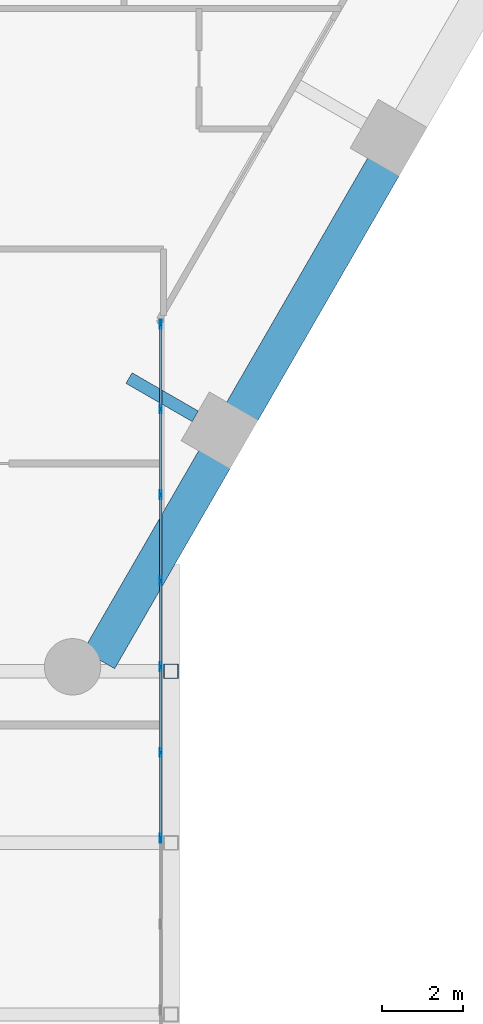
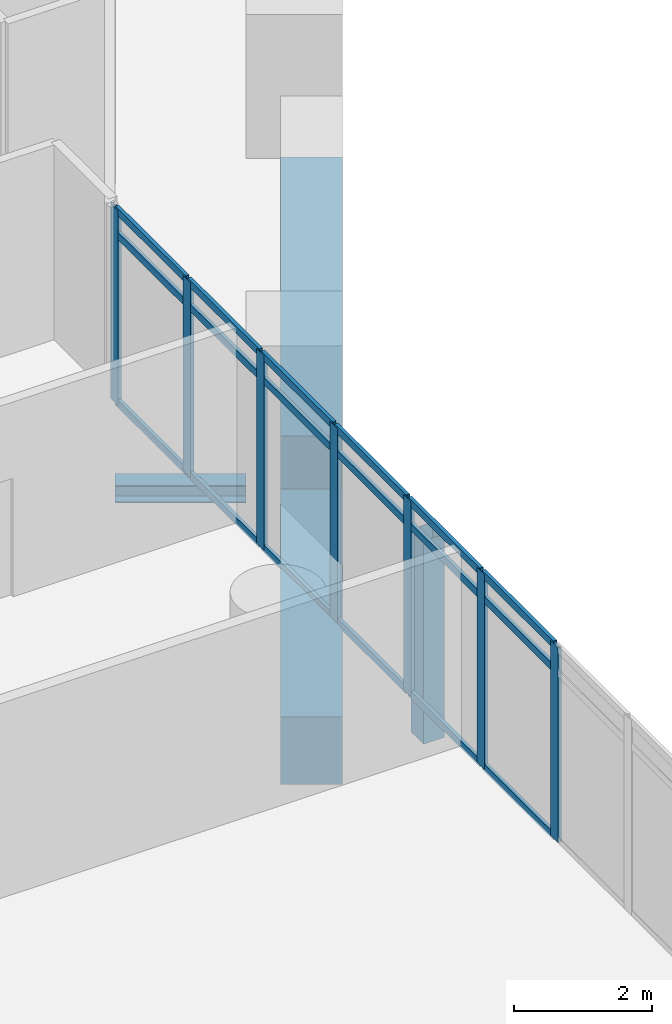
# One storey, part 14 of 38: 26 members, 3 beams, 1 element without a shape of its own.
"""IFC4 building model written with IfcOpenShell, lengths in metres."""

import ifcopenshell
import ifcopenshell.guid

model = None  # the IFC model being written
_history = None  # IfcOwnerHistory: only IFC2X3 demands one
_inside = {}  # id of a spatial element -> (the spatial element, [elements in it])
_under = {}  # id of a project, library or spatial element -> (it, [spatial elements below it])
_declared = {}  # id of a project -> (the project, [libraries it declares])
_typed = {}  # id of a type object -> (the type object, [elements of that type])
_made_of = {}  # id of a material, layer set ... -> (it, [elements and type objects made of it])


def new_model(schema):
    """Start an empty IFC model of exactly this schema.

    Asked for "IFC4X3", IfcOpenShell would pick the latest addendum, in which some entities
    have other attributes; the version numbers below select the first issue.
    IFC2X3 requires an IfcOwnerHistory on every rooted entity: one is made here for all.
    """
    global model, _history
    if schema == "IFC4X3":
        model = ifcopenshell.file(schema_version=(4, 3, 0, 0))
    else:
        model = ifcopenshell.file(schema=schema)
    _inside.clear()
    _under.clear()
    _declared.clear()
    _typed.clear()
    _made_of.clear()
    _history = None
    if model.schema == "IFC2X3":
        org = make("IfcOrganization", Name="unknown")
        user = make(
            "IfcPersonAndOrganization",
            ThePerson=make("IfcPerson", FamilyName="unknown"),
            TheOrganization=org,
        )
        app = make(
            "IfcApplication",
            ApplicationDeveloper=org,
            Version="unknown",
            ApplicationFullName="unknown",
            ApplicationIdentifier="unknown",
        )
        _history = make(
            "IfcOwnerHistory",
            OwningUser=user,
            OwningApplication=app,
            ChangeAction="ADDED",
            CreationDate=0,
        )
    return model


def make(cls, **values):
    """One entity of the class cls with the attributes given. An attribute that is None is left unset."""
    return model.create_entity(
        cls, **{name: value for name, value in values.items() if value is not None}
    )


def rooted(cls, **values):
    """An entity with a GlobalId (a new one), such as an element, a storey or a relation."""
    return make(cls, GlobalId=ifcopenshell.guid.new(), OwnerHistory=_history, **values)


def si_unit(unit_type, name, prefix=None):
    """IfcSIUnit, for example si_unit("LENGTHUNIT", "METRE", prefix="MILLI")."""
    return make("IfcSIUnit", UnitType=unit_type, Prefix=prefix, Name=name)


def assignment(units):
    """IfcUnitAssignment: the units of a project."""
    return None if units is None else make("IfcUnitAssignment", Units=units)


def point(xyz):
    """IfcCartesianPoint."""
    return None if xyz is None else make("IfcCartesianPoint", Coordinates=xyz)


def direction(xyz):
    """IfcDirection."""
    return None if xyz is None else make("IfcDirection", DirectionRatios=xyz)


def frame(location, z_axis=None, x_axis=None):
    """IfcAxis2Placement3D, a coordinate frame: its origin and axes. An axis left out is left unset."""
    return make(
        "IfcAxis2Placement3D",
        Location=point(location),
        Axis=direction(z_axis),
        RefDirection=direction(x_axis),
    )


def frame_2d(location, x_axis=None):
    """IfcAxis2Placement2D, a coordinate frame in the plane: its origin and x axis."""
    return make(
        "IfcAxis2Placement2D", Location=point(location), RefDirection=direction(x_axis)
    )


def origin():
    """The frame at (0, 0, 0) with its axes left unset."""
    return frame((0.0, 0.0, 0.0))


def origin_2d():
    """The frame at (0, 0) in the plane with its x axis left unset."""
    return frame_2d((0.0, 0.0))


def place(relative_to, where):
    """IfcLocalPlacement: puts the frame where relative to a parent placement (None: the world)."""
    return make(
        "IfcLocalPlacement", PlacementRelTo=relative_to, RelativePlacement=where
    )


def context(
    kind, dimensions, precision=None, world=None, true_north=None, identifier=None
):
    """IfcGeometricRepresentationContext, for example the 3D "Model" context."""
    return make(
        "IfcGeometricRepresentationContext",
        ContextIdentifier=identifier,
        ContextType=kind,
        CoordinateSpaceDimension=dimensions,
        Precision=precision,
        WorldCoordinateSystem=world,
        TrueNorth=true_north,
    )


def subcontext(parent, identifier, kind, view, scale=None):
    """IfcGeometricRepresentationSubContext, for example "Body" below "Model"."""
    return make(
        "IfcGeometricRepresentationSubContext",
        ContextIdentifier=identifier,
        ContextType=kind,
        ParentContext=parent,
        TargetScale=scale,
        TargetView=view,
    )


def project(units=None, contexts=None):
    """IfcProject with its units and contexts."""
    return rooted(
        "IfcProject",
        Name="project",
        RepresentationContexts=contexts,
        UnitsInContext=assignment(units),
    )


def spatial(cls, under=None, at=None, **own):
    """A site, building, storey or space (cls), placed at a placement, below another one or the project."""
    s = rooted(cls, ObjectPlacement=at, **own)
    if under is not None:
        _under.setdefault(under.id(), (under, []))[1].append(s)
    return s


def profile(cls, at=None, kind="AREA", **sizes):
    """A parametric profile (cls). Its sizes go by their IFC names, for example OverallWidth=200.0."""
    return make(cls, ProfileType=kind, Position=at, **sizes)


def rectangle(**sizes):
    """IfcRectangleProfileDef."""
    return profile("IfcRectangleProfileDef", **sizes)


def hollow_rectangle(**sizes):
    """IfcRectangleHollowProfileDef."""
    return profile("IfcRectangleHollowProfileDef", **sizes)


def i_section(**sizes):
    """IfcIShapeProfileDef."""
    return profile("IfcIShapeProfileDef", **sizes)


def extrude(swept, where, along, depth):
    """IfcExtrudedAreaSolid: the profile swept, set in the frame where, extruded along a direction by depth."""
    return make(
        "IfcExtrudedAreaSolid",
        SweptArea=swept,
        Position=where,
        ExtrudedDirection=direction(along),
        Depth=depth,
    )


def shape(context_of_items, identifier, shape_type, items):
    """IfcShapeRepresentation: the items that make up one representation, for example the "Body"."""
    return make(
        "IfcShapeRepresentation",
        ContextOfItems=context_of_items,
        RepresentationIdentifier=identifier,
        RepresentationType=shape_type,
        Items=items,
    )


def material(Name=None, Category=None):
    """IfcMaterial."""
    return make("IfcMaterial", Name=Name, Category=Category)


def material_profile(
    of_material, cross_section, Name=None, Category=None, Priority=None
):
    """IfcMaterialProfile: a cross section and its material."""
    return make(
        "IfcMaterialProfile",
        Name=Name,
        Material=of_material,
        Profile=cross_section,
        Priority=Priority,
        Category=Category,
    )


def profile_set(profiles, Name=None, composite=None):
    """IfcMaterialProfileSet."""
    return make(
        "IfcMaterialProfileSet",
        Name=Name,
        MaterialProfiles=profiles,
        CompositeProfile=composite,
    )


def made_of(thing, what):
    """Note that an element or type object is made of a material, layer set ...; save() writes the relation."""
    if what is not None:
        _made_of.setdefault(what.id(), (what, []))[1].append(thing)
    return thing


def type_object(cls, material=None, **own):
    """A type object (cls), such as IfcWallType, which elements share."""
    return made_of(rooted(cls, **own), material)


def element(
    cls,
    number,
    at=None,
    inside=None,
    cuts=None,
    type_object=None,
    material=None,
    context=None,
    identifier="Body",
    shape_type=None,
    held_by="IfcProductDefinitionShape",
    body=None,
    shapes=None,
    **own,
):
    """One element of the class cls, such as IfcWall. Its Tag is "e" and its number.

    at: its placement. inside: the storey or other place that contains it. cuts: it is an
    opening in that element (IfcRelVoidsElement). A single representation is given by context,
    identifier, shape_type and body (its items); several are given by shapes. held_by: the class
    of the entity that holds the representations. save() writes the other relations.
    """
    e = rooted(cls, Tag="e%d" % number, ObjectPlacement=at, **own)
    if body is not None:
        shapes = [shape(context, identifier, shape_type, body)]
    if shapes is not None:
        e.Representation = make(held_by, Representations=shapes)
    if inside is not None:
        _inside.setdefault(inside.id(), (inside, []))[1].append(e)
    if cuts is not None:
        rooted(
            "IfcRelVoidsElement", RelatingBuildingElement=cuts, RelatedOpeningElement=e
        )
    if type_object is not None:
        _typed.setdefault(type_object.id(), (type_object, []))[1].append(e)
    return made_of(e, material)


def aggregate(whole, parts):
    """IfcRelAggregates: a whole, such as a stair, and the parts it consists of."""
    return rooted("IfcRelAggregates", RelatingObject=whole, RelatedObjects=parts)


def save(model, path):
    """Write the relations noted so far, then the file.

    IfcRelAggregates (storeys below a building ...), IfcRelContainedInSpatialStructure (elements
    in a storey), IfcRelDefinesByType, IfcRelAssociatesMaterial and IfcRelDeclares: one each for
    every whole, place, type object, material and project.
    """
    for whole, parts in _under.values():
        aggregate(whole, parts)
    for where, things in _inside.values():
        rooted(
            "IfcRelContainedInSpatialStructure",
            RelatedElements=things,
            RelatingStructure=where,
        )
    for kind, things in _typed.values():
        rooted("IfcRelDefinesByType", RelatedObjects=things, RelatingType=kind)
    for what, things in _made_of.values():
        rooted("IfcRelAssociatesMaterial", RelatedObjects=things, RelatingMaterial=what)
    for by, libraries in _declared.values():
        rooted("IfcRelDeclares", RelatingContext=by, RelatedDefinitions=libraries)
    model.write(path)


model = new_model("IFC4")

# Units and contexts
model_context = context("Model", 3, precision=1e-05, world=origin(), true_north=direction((0.0, 1.0)))
body_context = subcontext(model_context, "Body", "Model", "MODEL_VIEW")
ifc_project = project(units=[si_unit("LENGTHUNIT", "METRE"), si_unit("AREAUNIT", "SQUARE_METRE"), si_unit("VOLUMEUNIT", "CUBIC_METRE"), si_unit("PLANEANGLEUNIT", "RADIAN"), si_unit("MASSUNIT", "GRAM", prefix="KILO")], contexts=[model_context])

# Site, building, storey
site_placement = place(None, origin())
site = spatial("IfcSite", under=ifc_project, at=site_placement, CompositionType="ELEMENT")
building_placement = place(site_placement, origin())
building = spatial("IfcBuilding", under=site, at=building_placement, Name="Ostrander Bayou Hotel Tower", CompositionType="ELEMENT")
storey_placement = place(building_placement, frame((0.0, 0.0, 65.5)))
storey = spatial("IfcBuildingStorey", under=building, at=storey_placement, Name="L16", CompositionType="ELEMENT", Elevation=65.5)

# Curtain wall, members
ifc_material_1 = material(Name="Aluminium and clear glass", Category="aluminium")
curtain_wall_type = type_object("IfcCurtainWallType", Name="CW-BAR glazed wall", PredefinedType="NOTDEFINED", material=ifc_material_1)
curtain_wall_placement = place(storey_placement, origin())
curtain_wall = element("IfcCurtainWall", 1, at=curtain_wall_placement, inside=storey, type_object=curtain_wall_type, Name="CW-BAR L16:SB1S:W", PredefinedType="NOTDEFINED")
ifc_material_2 = material(Name="Aluminium", Category="aluminium")
ifc_material_profile_1 = material_profile(ifc_material_2, hollow_rectangle(XDim=0.06005859375, YDim=0.219970703125, WallThickness=0.00390625, at=origin_2d()))
ifc_profile_set_1 = profile_set([ifc_material_profile_1], Name="Aluminium")
member_type_1 = type_object("IfcMemberType", Name="CW-BR mullion 60 x 220 mm", PredefinedType="MULLION", material=ifc_profile_set_1)
member_1_placement = place(storey_placement, frame((14.712158203125, -11.547607421875, 0.0), z_axis=(0.0, 0.0, 1.0), x_axis=(1.0, 0.0, 0.0)))
member_1 = element("IfcMember", 2, at=member_1_placement, type_object=member_type_1, Name="CW-BAR mullion 1", PredefinedType="MULLION", context=body_context, shape_type="SweptSolid", body=[
    extrude(hollow_rectangle(XDim=0.06005859375, YDim=0.219970703125, WallThickness=0.00390625, at=origin_2d()), origin(), (0.0, 0.0, 1.0), 3.449951171875),
])
member_2_placement = place(storey_placement, frame((14.712158203125, -13.650634765625, 0.0), z_axis=(0.0, 0.0, 1.0), x_axis=(1.0, 0.0, 0.0)))
member_2 = element("IfcMember", 3, at=member_2_placement, type_object=member_type_1, Name="CW-BAR mullion 2", PredefinedType="MULLION", context=body_context, shape_type="SweptSolid", body=[
    extrude(hollow_rectangle(XDim=0.06005859375, YDim=0.219970703125, WallThickness=0.00390625, at=origin_2d()), origin(), (0.0, 0.0, 1.0), 3.449951171875),
])
member_3_placement = place(storey_placement, frame((14.712158203125, -15.78369140625, 0.0), z_axis=(0.0, 0.0, 1.0), x_axis=(1.0, 0.0, 0.0)))
member_3 = element("IfcMember", 4, at=member_3_placement, type_object=member_type_1, Name="CW-BAR mullion 3", PredefinedType="MULLION", context=body_context, shape_type="SweptSolid", body=[
    extrude(hollow_rectangle(XDim=0.06005859375, YDim=0.219970703125, WallThickness=0.00390625, at=origin_2d()), origin(), (0.0, 0.0, 1.0), 3.449951171875),
])
member_4_placement = place(storey_placement, frame((14.712158203125, -17.916748046875, 0.0), z_axis=(0.0, 0.0, 1.0), x_axis=(1.0, 0.0, 0.0)))
member_4 = element("IfcMember", 5, at=member_4_placement, type_object=member_type_1, Name="CW-BAR mullion 4", PredefinedType="MULLION", context=body_context, shape_type="SweptSolid", body=[
    extrude(hollow_rectangle(XDim=0.06005859375, YDim=0.219970703125, WallThickness=0.00390625, at=origin_2d()), origin(), (0.0, 0.0, 1.0), 3.449951171875),
])
member_5_placement = place(storey_placement, frame((14.712158203125, -20.0498046875, 0.0), z_axis=(0.0, 0.0, 1.0), x_axis=(1.0, 0.0, 0.0)))
member_5 = element("IfcMember", 6, at=member_5_placement, type_object=member_type_1, Name="CW-BAR mullion 5", PredefinedType="MULLION", context=body_context, shape_type="SweptSolid", body=[
    extrude(hollow_rectangle(XDim=0.06005859375, YDim=0.219970703125, WallThickness=0.00390625, at=origin_2d()), origin(), (0.0, 0.0, 1.0), 3.449951171875),
])
member_6_placement = place(storey_placement, frame((14.712158203125, -22.182861328125, 0.0), z_axis=(0.0, 0.0, 1.0), x_axis=(1.0, 0.0, 0.0)))
member_6 = element("IfcMember", 7, at=member_6_placement, type_object=member_type_1, Name="CW-BAR mullion 6", PredefinedType="MULLION", context=body_context, shape_type="SweptSolid", body=[
    extrude(hollow_rectangle(XDim=0.06005859375, YDim=0.219970703125, WallThickness=0.00390625, at=origin_2d()), origin(), (0.0, 0.0, 1.0), 3.449951171875),
])
member_7_placement = place(storey_placement, frame((14.712158203125, -24.31591796875, 0.0), z_axis=(0.0, 0.0, 1.0), x_axis=(1.0, 0.0, 0.0)))
member_7 = element("IfcMember", 8, at=member_7_placement, type_object=member_type_1, Name="CW-BAR mullion 7", PredefinedType="MULLION", context=body_context, shape_type="SweptSolid", body=[
    extrude(hollow_rectangle(XDim=0.06005859375, YDim=0.219970703125, WallThickness=0.00390625, at=origin_2d()), origin(), (0.0, 0.0, 1.0), 3.449951171875),
])
ifc_material_3 = material(Name="Aluminium", Category="aluminium")
ifc_material_profile_2 = material_profile(ifc_material_3, hollow_rectangle(XDim=0.06005859375, YDim=0.1298828125, WallThickness=0.00390625, at=origin_2d()))
ifc_profile_set_2 = profile_set([ifc_material_profile_2], Name="Aluminium")
member_type_2 = type_object("IfcMemberType", Name="CW-BR transom 60 x 130 mm", PredefinedType="USERDEFINED", material=ifc_profile_set_2)
member_8_placement = place(storey_placement, frame((14.712158203125, -11.57763671875, 0.030029296875), z_axis=(0.0, -1.0, 0.0), x_axis=(1.0, 0.0, 0.0)))
member_8 = element("IfcMember", 9, at=member_8_placement, type_object=member_type_2, Name="CW-BAR transom 1.1", ObjectType="TRANSOM", PredefinedType="USERDEFINED", context=body_context, shape_type="SweptSolid", body=[
    extrude(hollow_rectangle(XDim=0.06005859375, YDim=0.1298828125, WallThickness=0.00390625, at=origin_2d()), origin(), (0.0, 0.0, 1.0), 2.043212890625),
])
member_9_placement = place(storey_placement, frame((14.712158203125, -11.57763671875, 3.0), z_axis=(0.0, -1.0, 0.0), x_axis=(1.0, 0.0, 0.0)))
member_9 = element("IfcMember", 10, at=member_9_placement, type_object=member_type_2, Name="CW-BAR transom 1.2", ObjectType="TRANSOM", PredefinedType="USERDEFINED", context=body_context, shape_type="SweptSolid", body=[
    extrude(hollow_rectangle(XDim=0.06005859375, YDim=0.1298828125, WallThickness=0.00390625, at=origin_2d()), origin(), (0.0, 0.0, 1.0), 2.043212890625),
])
member_10_placement = place(storey_placement, frame((14.712158203125, -11.57763671875, 3.419921875), z_axis=(0.0, -1.0, 0.0), x_axis=(1.0, 0.0, 0.0)))
member_10 = element("IfcMember", 11, at=member_10_placement, type_object=member_type_2, Name="CW-BAR transom 1.3", ObjectType="TRANSOM", PredefinedType="USERDEFINED", context=body_context, shape_type="SweptSolid", body=[
    extrude(hollow_rectangle(XDim=0.06005859375, YDim=0.1298828125, WallThickness=0.00390625, at=origin_2d()), origin(), (0.0, 0.0, 1.0), 2.043212890625),
])
member_11_placement = place(storey_placement, frame((14.712158203125, -13.6806640625, 0.030029296875), z_axis=(0.0, -1.0, 0.0), x_axis=(1.0, 0.0, 0.0)))
member_11 = element("IfcMember", 12, at=member_11_placement, type_object=member_type_2, Name="CW-BAR transom 2.1", ObjectType="TRANSOM", PredefinedType="USERDEFINED", context=body_context, shape_type="SweptSolid", body=[
    extrude(hollow_rectangle(XDim=0.06005859375, YDim=0.1298828125, WallThickness=0.00390625, at=origin_2d()), origin(), (0.0, 0.0, 1.0), 2.072998046875),
])
member_12_placement = place(storey_placement, frame((14.712158203125, -13.6806640625, 3.0), z_axis=(0.0, -1.0, 0.0), x_axis=(1.0, 0.0, 0.0)))
member_12 = element("IfcMember", 13, at=member_12_placement, type_object=member_type_2, Name="CW-BAR transom 2.2", ObjectType="TRANSOM", PredefinedType="USERDEFINED", context=body_context, shape_type="SweptSolid", body=[
    extrude(hollow_rectangle(XDim=0.06005859375, YDim=0.1298828125, WallThickness=0.00390625, at=origin_2d()), origin(), (0.0, 0.0, 1.0), 2.072998046875),
])
member_13_placement = place(storey_placement, frame((14.712158203125, -13.6806640625, 3.419921875), z_axis=(0.0, -1.0, 0.0), x_axis=(1.0, 0.0, 0.0)))
member_13 = element("IfcMember", 14, at=member_13_placement, type_object=member_type_2, Name="CW-BAR transom 2.3", ObjectType="TRANSOM", PredefinedType="USERDEFINED", context=body_context, shape_type="SweptSolid", body=[
    extrude(hollow_rectangle(XDim=0.06005859375, YDim=0.1298828125, WallThickness=0.00390625, at=origin_2d()), origin(), (0.0, 0.0, 1.0), 2.072998046875),
])
member_14_placement = place(storey_placement, frame((14.712158203125, -15.813720703125, 0.030029296875), z_axis=(0.0, -1.0, 0.0), x_axis=(1.0, 0.0, 0.0)))
member_14 = element("IfcMember", 15, at=member_14_placement, type_object=member_type_2, Name="CW-BAR transom 3.1", ObjectType="TRANSOM", PredefinedType="USERDEFINED", context=body_context, shape_type="SweptSolid", body=[
    extrude(hollow_rectangle(XDim=0.06005859375, YDim=0.1298828125, WallThickness=0.00390625, at=origin_2d()), origin(), (0.0, 0.0, 1.0), 2.072998046875),
])
member_15_placement = place(storey_placement, frame((14.712158203125, -15.813720703125, 3.0), z_axis=(0.0, -1.0, 0.0), x_axis=(1.0, 0.0, 0.0)))
member_15 = element("IfcMember", 16, at=member_15_placement, type_object=member_type_2, Name="CW-BAR transom 3.2", ObjectType="TRANSOM", PredefinedType="USERDEFINED", context=body_context, shape_type="SweptSolid", body=[
    extrude(hollow_rectangle(XDim=0.06005859375, YDim=0.1298828125, WallThickness=0.00390625, at=origin_2d()), origin(), (0.0, 0.0, 1.0), 2.072998046875),
])
member_16_placement = place(storey_placement, frame((14.712158203125, -15.813720703125, 3.419921875), z_axis=(0.0, -1.0, 0.0), x_axis=(1.0, 0.0, 0.0)))
member_16 = element("IfcMember", 17, at=member_16_placement, type_object=member_type_2, Name="CW-BAR transom 3.3", ObjectType="TRANSOM", PredefinedType="USERDEFINED", context=body_context, shape_type="SweptSolid", body=[
    extrude(hollow_rectangle(XDim=0.06005859375, YDim=0.1298828125, WallThickness=0.00390625, at=origin_2d()), origin(), (0.0, 0.0, 1.0), 2.072998046875),
])
member_17_placement = place(storey_placement, frame((14.712158203125, -17.94677734375, 0.030029296875), z_axis=(0.0, -1.0, 0.0), x_axis=(1.0, 0.0, 0.0)))
member_17 = element("IfcMember", 18, at=member_17_placement, type_object=member_type_2, Name="CW-BAR transom 4.1", ObjectType="TRANSOM", PredefinedType="USERDEFINED", context=body_context, shape_type="SweptSolid", body=[
    extrude(hollow_rectangle(XDim=0.06005859375, YDim=0.1298828125, WallThickness=0.00390625, at=origin_2d()), origin(), (0.0, 0.0, 1.0), 2.072998046875),
])
member_18_placement = place(storey_placement, frame((14.712158203125, -17.94677734375, 3.0), z_axis=(0.0, -1.0, 0.0), x_axis=(1.0, 0.0, 0.0)))
member_18 = element("IfcMember", 19, at=member_18_placement, type_object=member_type_2, Name="CW-BAR transom 4.2", ObjectType="TRANSOM", PredefinedType="USERDEFINED", context=body_context, shape_type="SweptSolid", body=[
    extrude(hollow_rectangle(XDim=0.06005859375, YDim=0.1298828125, WallThickness=0.00390625, at=origin_2d()), origin(), (0.0, 0.0, 1.0), 2.072998046875),
])
member_19_placement = place(storey_placement, frame((14.712158203125, -17.94677734375, 3.419921875), z_axis=(0.0, -1.0, 0.0), x_axis=(1.0, 0.0, 0.0)))
member_19 = element("IfcMember", 20, at=member_19_placement, type_object=member_type_2, Name="CW-BAR transom 4.3", ObjectType="TRANSOM", PredefinedType="USERDEFINED", context=body_context, shape_type="SweptSolid", body=[
    extrude(hollow_rectangle(XDim=0.06005859375, YDim=0.1298828125, WallThickness=0.00390625, at=origin_2d()), origin(), (0.0, 0.0, 1.0), 2.072998046875),
])
member_20_placement = place(storey_placement, frame((14.712158203125, -20.079833984375, 0.030029296875), z_axis=(0.0, -1.0, 0.0), x_axis=(1.0, 0.0, 0.0)))
member_20 = element("IfcMember", 21, at=member_20_placement, type_object=member_type_2, Name="CW-BAR transom 5.1", ObjectType="TRANSOM", PredefinedType="USERDEFINED", context=body_context, shape_type="SweptSolid", body=[
    extrude(hollow_rectangle(XDim=0.06005859375, YDim=0.1298828125, WallThickness=0.00390625, at=origin_2d()), origin(), (0.0, 0.0, 1.0), 2.072998046875),
])
member_21_placement = place(storey_placement, frame((14.712158203125, -20.079833984375, 3.0), z_axis=(0.0, -1.0, 0.0), x_axis=(1.0, 0.0, 0.0)))
member_21 = element("IfcMember", 22, at=member_21_placement, type_object=member_type_2, Name="CW-BAR transom 5.2", ObjectType="TRANSOM", PredefinedType="USERDEFINED", context=body_context, shape_type="SweptSolid", body=[
    extrude(hollow_rectangle(XDim=0.06005859375, YDim=0.1298828125, WallThickness=0.00390625, at=origin_2d()), origin(), (0.0, 0.0, 1.0), 2.072998046875),
])
member_22_placement = place(storey_placement, frame((14.712158203125, -20.079833984375, 3.419921875), z_axis=(0.0, -1.0, 0.0), x_axis=(1.0, 0.0, 0.0)))
member_22 = element("IfcMember", 23, at=member_22_placement, type_object=member_type_2, Name="CW-BAR transom 5.3", ObjectType="TRANSOM", PredefinedType="USERDEFINED", context=body_context, shape_type="SweptSolid", body=[
    extrude(hollow_rectangle(XDim=0.06005859375, YDim=0.1298828125, WallThickness=0.00390625, at=origin_2d()), origin(), (0.0, 0.0, 1.0), 2.072998046875),
])
member_23_placement = place(storey_placement, frame((14.712158203125, -22.212890625, 0.030029296875), z_axis=(0.0, -1.0, 0.0), x_axis=(1.0, 0.0, 0.0)))
member_23 = element("IfcMember", 24, at=member_23_placement, type_object=member_type_2, Name="CW-BAR transom 6.1", ObjectType="TRANSOM", PredefinedType="USERDEFINED", context=body_context, shape_type="SweptSolid", body=[
    extrude(hollow_rectangle(XDim=0.06005859375, YDim=0.1298828125, WallThickness=0.00390625, at=origin_2d()), origin(), (0.0, 0.0, 1.0), 2.072998046875),
])
member_24_placement = place(storey_placement, frame((14.712158203125, -22.212890625, 3.0), z_axis=(0.0, -1.0, 0.0), x_axis=(1.0, 0.0, 0.0)))
member_24 = element("IfcMember", 25, at=member_24_placement, type_object=member_type_2, Name="CW-BAR transom 6.2", ObjectType="TRANSOM", PredefinedType="USERDEFINED", context=body_context, shape_type="SweptSolid", body=[
    extrude(hollow_rectangle(XDim=0.06005859375, YDim=0.1298828125, WallThickness=0.00390625, at=origin_2d()), origin(), (0.0, 0.0, 1.0), 2.072998046875),
])
member_25_placement = place(storey_placement, frame((14.712158203125, -22.212890625, 3.419921875), z_axis=(0.0, -1.0, 0.0), x_axis=(1.0, 0.0, 0.0)))
member_25 = element("IfcMember", 26, at=member_25_placement, type_object=member_type_2, Name="CW-BAR transom 6.3", ObjectType="TRANSOM", PredefinedType="USERDEFINED", context=body_context, shape_type="SweptSolid", body=[
    extrude(hollow_rectangle(XDim=0.06005859375, YDim=0.1298828125, WallThickness=0.00390625, at=origin_2d()), origin(), (0.0, 0.0, 1.0), 2.072998046875),
])
aggregate(curtain_wall, [member_1, member_2, member_3, member_4, member_5, member_6, member_7, member_8, member_9, member_10, member_11, member_12, member_13, member_14, member_15, member_16, member_17, member_18, member_19, member_20, member_21, member_22, member_23, member_24, member_25])

# Beams
ifc_material_4 = material(Name="Steel ASTM A992", Category="steel")
ifc_material_profile_3 = material_profile(ifc_material_4, i_section(OverallWidth=0.3046875, OverallDepth=0.307861328125, WebThickness=0.010009765625, FlangeThickness=0.015380859375, at=origin_2d()))
ifc_profile_set_3 = profile_set([ifc_material_profile_3], Name="Steel ASTM A992")
beam_type_1 = type_object("IfcBeamType", Name="LB1 loggia bracket W12x65", PredefinedType="BEAM", material=ifc_profile_set_3)
beam_1_placement = place(storey_placement, frame((15.569091796875, -13.833251953125, -0.453857421875), z_axis=(-0.86601224135, 0.500022797313, 0.0), x_axis=(-0.500022797313, -0.86601224135, 0.0)))
element("IfcBeam", 27, at=beam_1_placement, inside=storey, type_object=beam_type_1, Name="LB1 L16 SE1", PredefinedType="BEAM", context=body_context, shape_type="SweptSolid", body=[
    extrude(i_section(OverallWidth=0.3046875, OverallDepth=0.307861328125, WebThickness=0.010009765625, FlangeThickness=0.015380859375, at=origin_2d()), origin(), (0.0, 0.0, 1.0), 1.89990234375),
])
ifc_material_5 = material(Name="Concrete f'c 70 MPa", Category="concrete")
ifc_material_profile_4 = material_profile(ifc_material_5, rectangle(XDim=0.89990234375, YDim=1.199951171875, at=origin_2d()))
ifc_profile_set_4 = profile_set([ifc_material_profile_4], Name="Concrete f'c 70 MPa")
beam_type_2 = type_object("IfcBeamType", Name="SP1 spandrel beam 900 x 1200 mm f'c 70 MPa", PredefinedType="SPANDREL", material=ifc_profile_set_4)
beam_2_placement = place(storey_placement, frame((13.177490234375, -19.875732421875, -0.60009765625), z_axis=(0.500014818852, 0.866016847947, 0.0), x_axis=(-0.866016847947, 0.500014818852, 0.0)))
element("IfcBeam", 28, at=beam_2_placement, inside=storey, type_object=beam_type_2, Name="SP1 L16 SE-1", PredefinedType="SPANDREL", context=body_context, shape_type="SweptSolid", body=[
    extrude(rectangle(XDim=0.89990234375, YDim=1.199951171875, at=origin_2d()), origin(), (0.0, 0.0, 1.0), 5.758544921875),
])
beam_3_placement = place(storey_placement, frame((16.726806640625, -13.72802734375, -0.60009765625), z_axis=(0.499997206141, 0.866027016814, 0.0), x_axis=(-0.866027016814, 0.499997206141, 0.0)))
element("IfcBeam", 29, at=beam_3_placement, inside=storey, type_object=beam_type_2, Name="SP1 L16 SE-2", PredefinedType="SPANDREL", context=body_context, shape_type="SweptSolid", body=[
    extrude(rectangle(XDim=0.89990234375, YDim=1.199951171875, at=origin_2d()), origin(), (0.0, 0.0, 1.0), 7.05078125),
])

# Member
ifc_material_6 = material(Name="Steel ASTM A500 Gr C", Category="steel")
ifc_material_profile_5 = material_profile(ifc_material_6, hollow_rectangle(XDim=0.355712890625, YDim=0.355712890625, WallThickness=0.0087890625, at=origin_2d()))
ifc_profile_set_5 = profile_set([ifc_material_profile_5], Name="Steel ASTM A500 Gr C")
member_type_3 = type_object("IfcMemberType", Name="TH3 bar hanger HSS14x14x3/8", PredefinedType="POST", material=ifc_profile_set_5)
member_26_placement = place(storey_placement, frame((14.965087890625, -20.162841796875, -0.771728515625), z_axis=(0.0, 0.0, 1.0), x_axis=(1.0, 0.0, 0.0)))
element("IfcMember", 30, at=member_26_placement, inside=storey, type_object=member_type_3, Name="TH3 SB1SB H1-1", PredefinedType="POST", context=body_context, shape_type="SweptSolid", body=[
    extrude(hollow_rectangle(XDim=0.355712890625, YDim=0.355712890625, WallThickness=0.0087890625, at=origin_2d()), origin(), (0.0, 0.0, 1.0), 3.599853515625),
])

save(model, "model.ifc")
